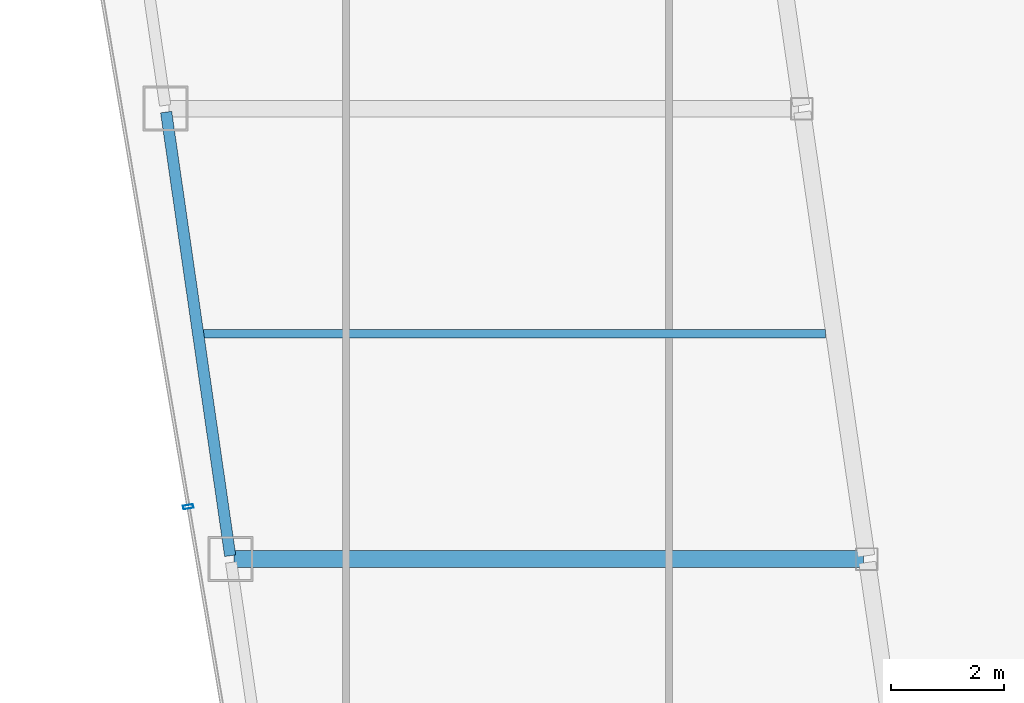
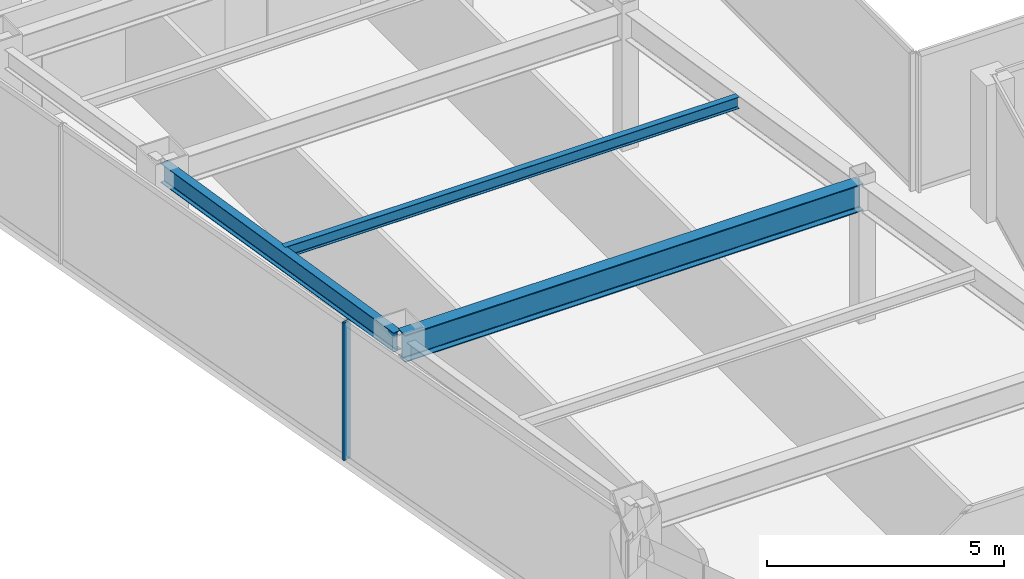
# One storey, part 5 of 36: 3 beams, 1 member, 1 element without a shape of its own.
"""IFC4 building model written with IfcOpenShell, lengths in metres."""

from ifc_helpers import new_model, si_unit, direction, frame, origin, origin_2d, place, context, subcontext, project, spatial, hollow_rectangle, i_section, extrude, material, material_profile, profile_set, type_object, element, aggregate, save


model = new_model("IFC4")

# Units and contexts
model_context = context("Model", 3, precision=1e-05, world=origin(), true_north=direction((0.0, 1.0)))
body_context = subcontext(model_context, "Body", "Model", "MODEL_VIEW")
ifc_project = project(units=[si_unit("LENGTHUNIT", "METRE"), si_unit("AREAUNIT", "SQUARE_METRE"), si_unit("VOLUMEUNIT", "CUBIC_METRE"), si_unit("PLANEANGLEUNIT", "RADIAN"), si_unit("MASSUNIT", "GRAM", prefix="KILO")], contexts=[model_context])

# Site, building, storey
site_placement = place(None, origin())
site = spatial("IfcSite", under=ifc_project, at=site_placement, CompositionType="ELEMENT")
building_placement = place(site_placement, origin())
building = spatial("IfcBuilding", under=site, at=building_placement, Name="Saevonmaru Cultural Tower", CompositionType="ELEMENT")
storey_placement = place(building_placement, frame((0.0, 0.0, 209.39990234375)))
storey = spatial("IfcBuildingStorey", under=building, at=storey_placement, Name="L48", CompositionType="ELEMENT", Elevation=209.39990234375)

# Beams
ifc_material_1 = material(Name="Steel SM355", Category="steel")
ifc_material_profile_1 = material_profile(ifc_material_1, i_section(OverallWidth=0.300048828125, OverallDepth=0.699951171875, WebThickness=0.012939453125, FlangeThickness=0.02392578125, FilletRadius=0.02587890625, at=origin_2d()), Name="H-700x300x13x24")
ifc_profile_set_1 = profile_set([ifc_material_profile_1], Name="Steel SM355")
beam_type_1 = type_object("IfcBeamType", Name="BM-G-H700", PredefinedType="BEAM", material=ifc_profile_set_1)
beam_1_placement = place(storey_placement, frame((9.531982421875, 24.0, 3.2001953125), z_axis=(1.0, 0.0, 0.0), x_axis=(0.0, 1.0, 0.0)))
element("IfcBeam", 1, at=beam_1_placement, inside=storey, type_object=beam_type_1, Name="L48 West Wing Transverse Girder 2", PredefinedType="BEAM", context=body_context, shape_type="SweptSolid", body=[
    extrude(i_section(OverallWidth=0.300048828125, OverallDepth=0.699951171875, WebThickness=0.012939453125, FlangeThickness=0.02392578125, FilletRadius=0.02587890625, at=origin_2d()), origin(), (0.0, 0.0, 1.0), 11.179931640625),
])
ifc_material_profile_2 = material_profile(ifc_material_1, i_section(OverallWidth=0.14990234375, OverallDepth=0.300048828125, WebThickness=0.006591796875, FlangeThickness=0.009033203125, FilletRadius=0.012939453125, at=origin_2d()), Name="H-300x150x6.5x9")
ifc_profile_set_2 = profile_set([ifc_material_profile_2], Name="Steel SM355")
beam_type_2 = type_object("IfcBeamType", Name="BM-J-H300", PredefinedType="JOIST", material=ifc_profile_set_2)
beam_2_placement = place(storey_placement, frame((8.95458984375, 28.0, 3.400146484375), z_axis=(1.0, 0.0, 0.0), x_axis=(0.0, 1.0, 0.0)))
element("IfcBeam", 2, at=beam_2_placement, inside=storey, type_object=beam_type_2, Name="L48 West Wing Floor Joist 2", PredefinedType="JOIST", context=body_context, shape_type="SweptSolid", body=[
    extrude(i_section(OverallWidth=0.14990234375, OverallDepth=0.300048828125, WebThickness=0.006591796875, FlangeThickness=0.009033203125, FilletRadius=0.012939453125, at=origin_2d()), origin(), (0.0, 0.0, 1.0), 11.08203125),
])
ifc_material_profile_3 = material_profile(ifc_material_1, i_section(OverallWidth=0.199951171875, OverallDepth=0.5, WebThickness=0.010009765625, FlangeThickness=0.01611328125, FilletRadius=0.02001953125, at=origin_2d()), Name="H-500x200x10x16")
ifc_profile_set_3 = profile_set([ifc_material_profile_3], Name="Steel SM355")
beam_type_3 = type_object("IfcBeamType", Name="BM-SP-H500", PredefinedType="SPANDREL", material=ifc_profile_set_3)
beam_3_placement = place(storey_placement, frame((9.46337890625, 24.059326171875, 3.300048828125), z_axis=(-0.142871999001, 0.989741174197, 0.0), x_axis=(-0.989741174197, -0.142871999001, 0.0)))
element("IfcBeam", 3, at=beam_3_placement, inside=storey, type_object=beam_type_3, Name="L48 West Splayed Spandrel 2", PredefinedType="SPANDREL", context=body_context, shape_type="SweptSolid", body=[
    extrude(i_section(OverallWidth=0.199951171875, OverallDepth=0.5, WebThickness=0.010009765625, FlangeThickness=0.01611328125, FilletRadius=0.02001953125, at=origin_2d()), origin(), (0.0, 0.0, 1.0), 7.963134765625),
])

# Curtain wall, member
ifc_material_2 = material(Name="Satin Bronze Anodised Aluminium", Category="aluminium")
curtain_wall_type = type_object("IfcCurtainWallType", Name="CW-TYP-B", PredefinedType="NOTDEFINED", material=ifc_material_2)
curtain_wall_placement = place(storey_placement, origin())
curtain_wall = element("IfcCurtainWall", 4, at=curtain_wall_placement, inside=storey, type_object=curtain_wall_type, Name="L48 Unitised Curtain Wall E12", PredefinedType="NOTDEFINED")
ifc_material_profile_4 = material_profile(ifc_material_2, hollow_rectangle(XDim=0.06494140625, YDim=0.179931640625, WallThickness=0.00390625, at=origin_2d()), Name="ALU-MULL-180x65x4")
ifc_profile_set_4 = profile_set([ifc_material_profile_4], Name="Satin Bronze Anodised Aluminium")
member_type = type_object("IfcMemberType", Name="ML-CW-180x65", PredefinedType="MULLION", material=ifc_profile_set_4)
member_placement = place(storey_placement, frame((8.71826171875, 24.9296875, 0.0), z_axis=(0.0, 0.0, 1.0), x_axis=(0.16692169721, -0.985970155228, 0.0)))
member = element("IfcMember", 5, at=member_placement, type_object=member_type, Name="CW-TW-L48-E12 mullion 4", PredefinedType="MULLION", context=body_context, shape_type="SweptSolid", body=[
    extrude(hollow_rectangle(XDim=0.06494140625, YDim=0.179931640625, WallThickness=0.00390625, at=origin_2d()), origin(), (0.0, 0.0, 1.0), 3.550048828125),
])
aggregate(curtain_wall, [member])

save(model, "model.ifc")
